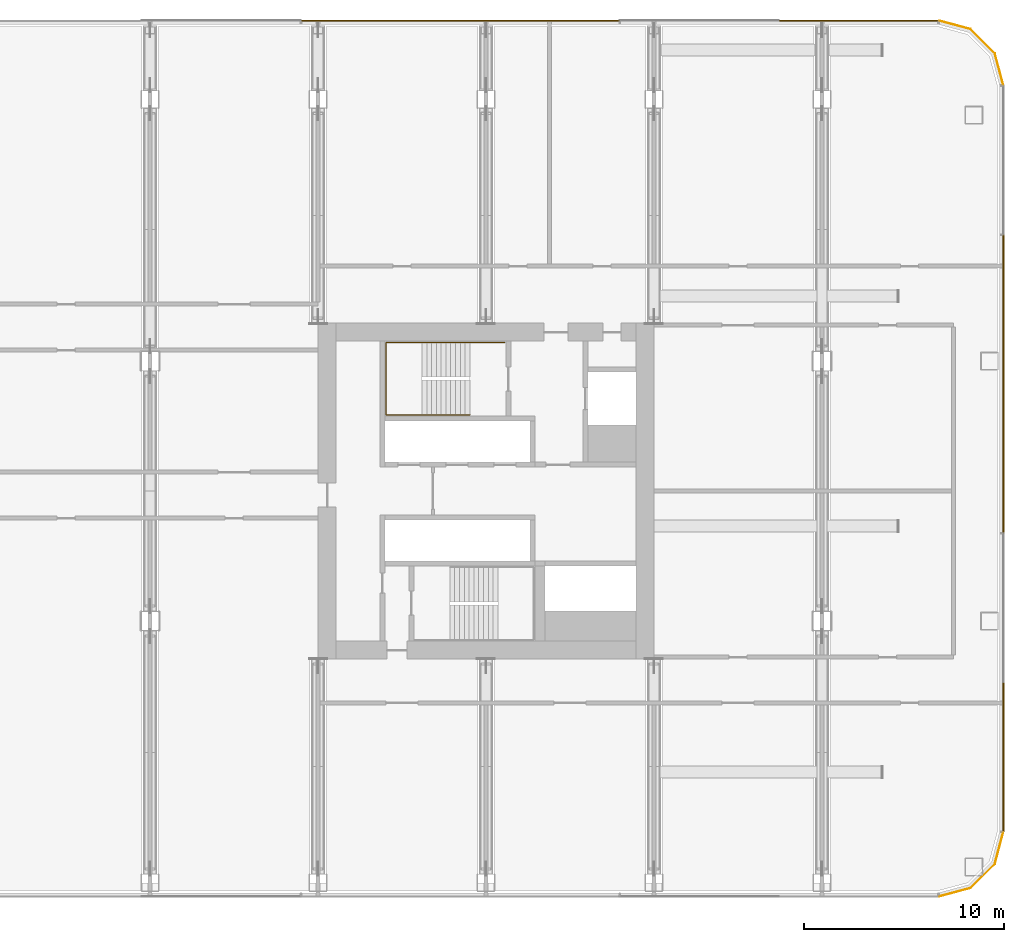
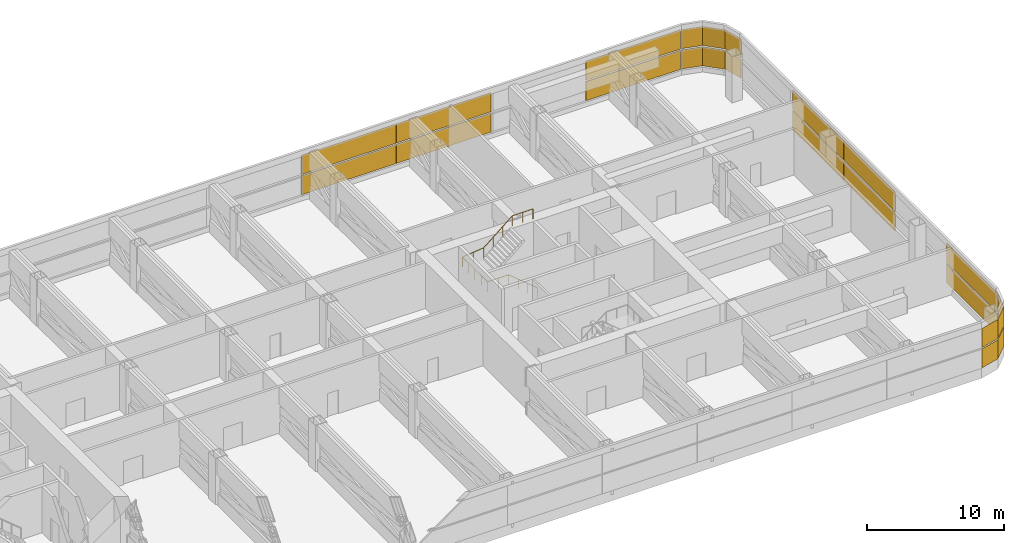
# One storey, part 30 of 30: 16 shading devices, 1 railing, 4 elements without a shape of their own.
"""IFC4 building model written with IfcOpenShell, lengths in metres."""

import ifcopenshell
import ifcopenshell.guid

model = None  # the IFC model being written
_history = None  # IfcOwnerHistory: only IFC2X3 demands one
_inside = {}  # id of a spatial element -> (the spatial element, [elements in it])
_under = {}  # id of a project, library or spatial element -> (it, [spatial elements below it])
_declared = {}  # id of a project -> (the project, [libraries it declares])
_typed = {}  # id of a type object -> (the type object, [elements of that type])
_made_of = {}  # id of a material, layer set ... -> (it, [elements and type objects made of it])


def new_model(schema):
    """Start an empty IFC model of exactly this schema.

    Asked for "IFC4X3", IfcOpenShell would pick the latest addendum, in which some entities
    have other attributes; the version numbers below select the first issue.
    IFC2X3 requires an IfcOwnerHistory on every rooted entity: one is made here for all.
    """
    global model, _history
    if schema == "IFC4X3":
        model = ifcopenshell.file(schema_version=(4, 3, 0, 0))
    else:
        model = ifcopenshell.file(schema=schema)
    _inside.clear()
    _under.clear()
    _declared.clear()
    _typed.clear()
    _made_of.clear()
    _history = None
    if model.schema == "IFC2X3":
        org = make("IfcOrganization", Name="unknown")
        user = make(
            "IfcPersonAndOrganization",
            ThePerson=make("IfcPerson", FamilyName="unknown"),
            TheOrganization=org,
        )
        app = make(
            "IfcApplication",
            ApplicationDeveloper=org,
            Version="unknown",
            ApplicationFullName="unknown",
            ApplicationIdentifier="unknown",
        )
        _history = make(
            "IfcOwnerHistory",
            OwningUser=user,
            OwningApplication=app,
            ChangeAction="ADDED",
            CreationDate=0,
        )
    return model


def make(cls, **values):
    """One entity of the class cls with the attributes given. An attribute that is None is left unset."""
    return model.create_entity(
        cls, **{name: value for name, value in values.items() if value is not None}
    )


def rooted(cls, **values):
    """An entity with a GlobalId (a new one), such as an element, a storey or a relation."""
    return make(cls, GlobalId=ifcopenshell.guid.new(), OwnerHistory=_history, **values)


def si_unit(unit_type, name, prefix=None):
    """IfcSIUnit, for example si_unit("LENGTHUNIT", "METRE", prefix="MILLI")."""
    return make("IfcSIUnit", UnitType=unit_type, Prefix=prefix, Name=name)


def assignment(units):
    """IfcUnitAssignment: the units of a project."""
    return None if units is None else make("IfcUnitAssignment", Units=units)


def point(xyz):
    """IfcCartesianPoint."""
    return None if xyz is None else make("IfcCartesianPoint", Coordinates=xyz)


def direction(xyz):
    """IfcDirection."""
    return None if xyz is None else make("IfcDirection", DirectionRatios=xyz)


def frame(location, z_axis=None, x_axis=None):
    """IfcAxis2Placement3D, a coordinate frame: its origin and axes. An axis left out is left unset."""
    return make(
        "IfcAxis2Placement3D",
        Location=point(location),
        Axis=direction(z_axis),
        RefDirection=direction(x_axis),
    )


def frame_2d(location, x_axis=None):
    """IfcAxis2Placement2D, a coordinate frame in the plane: its origin and x axis."""
    return make(
        "IfcAxis2Placement2D", Location=point(location), RefDirection=direction(x_axis)
    )


def origin():
    """The frame at (0, 0, 0) with its axes left unset."""
    return frame((0.0, 0.0, 0.0))


def origin_2d():
    """The frame at (0, 0) in the plane with its x axis left unset."""
    return frame_2d((0.0, 0.0))


def place(relative_to, where):
    """IfcLocalPlacement: puts the frame where relative to a parent placement (None: the world)."""
    return make(
        "IfcLocalPlacement", PlacementRelTo=relative_to, RelativePlacement=where
    )


def context(
    kind, dimensions, precision=None, world=None, true_north=None, identifier=None
):
    """IfcGeometricRepresentationContext, for example the 3D "Model" context."""
    return make(
        "IfcGeometricRepresentationContext",
        ContextIdentifier=identifier,
        ContextType=kind,
        CoordinateSpaceDimension=dimensions,
        Precision=precision,
        WorldCoordinateSystem=world,
        TrueNorth=true_north,
    )


def subcontext(parent, identifier, kind, view, scale=None):
    """IfcGeometricRepresentationSubContext, for example "Body" below "Model"."""
    return make(
        "IfcGeometricRepresentationSubContext",
        ContextIdentifier=identifier,
        ContextType=kind,
        ParentContext=parent,
        TargetScale=scale,
        TargetView=view,
    )


def project(units=None, contexts=None):
    """IfcProject with its units and contexts."""
    return rooted(
        "IfcProject",
        Name="project",
        RepresentationContexts=contexts,
        UnitsInContext=assignment(units),
    )


def spatial(cls, under=None, at=None, **own):
    """A site, building, storey or space (cls), placed at a placement, below another one or the project."""
    s = rooted(cls, ObjectPlacement=at, **own)
    if under is not None:
        _under.setdefault(under.id(), (under, []))[1].append(s)
    return s


def polyline(points):
    """IfcPolyline through the points."""
    return make("IfcPolyline", Points=[point(p) for p in points])


def profile(cls, at=None, kind="AREA", **sizes):
    """A parametric profile (cls). Its sizes go by their IFC names, for example OverallWidth=200.0."""
    return make(cls, ProfileType=kind, Position=at, **sizes)


def rectangle(**sizes):
    """IfcRectangleProfileDef."""
    return profile("IfcRectangleProfileDef", **sizes)


def circle(**sizes):
    """IfcCircleProfileDef."""
    return profile("IfcCircleProfileDef", **sizes)


def outline(outer, holes=None, kind="AREA"):
    """IfcArbitraryClosedProfileDef: a profile drawn as a closed curve; with holes, ...WithVoids."""
    if holes is None:
        return make("IfcArbitraryClosedProfileDef", ProfileType=kind, OuterCurve=outer)
    return make(
        "IfcArbitraryProfileDefWithVoids",
        ProfileType=kind,
        OuterCurve=outer,
        InnerCurves=holes,
    )


def extrude(swept, where, along, depth):
    """IfcExtrudedAreaSolid: the profile swept, set in the frame where, extruded along a direction by depth."""
    return make(
        "IfcExtrudedAreaSolid",
        SweptArea=swept,
        Position=where,
        ExtrudedDirection=direction(along),
        Depth=depth,
    )


def shape(context_of_items, identifier, shape_type, items):
    """IfcShapeRepresentation: the items that make up one representation, for example the "Body"."""
    return make(
        "IfcShapeRepresentation",
        ContextOfItems=context_of_items,
        RepresentationIdentifier=identifier,
        RepresentationType=shape_type,
        Items=items,
    )


def material(Name=None, Category=None):
    """IfcMaterial."""
    return make("IfcMaterial", Name=Name, Category=Category)


def layer(
    of_material, thickness, ventilated=None, Name=None, Category=None, Priority=None
):
    """IfcMaterialLayer: one layer of a wall or slab, of a material (None: an air gap)."""
    return make(
        "IfcMaterialLayer",
        Material=of_material,
        LayerThickness=thickness,
        IsVentilated=ventilated,
        Name=Name,
        Category=Category,
        Priority=Priority,
    )


def layer_set(layers, Name=None):
    """IfcMaterialLayerSet."""
    return make("IfcMaterialLayerSet", MaterialLayers=layers, LayerSetName=Name)


def made_of(thing, what):
    """Note that an element or type object is made of a material, layer set ...; save() writes the relation."""
    if what is not None:
        _made_of.setdefault(what.id(), (what, []))[1].append(thing)
    return thing


def type_object(cls, material=None, **own):
    """A type object (cls), such as IfcWallType, which elements share."""
    return made_of(rooted(cls, **own), material)


def element(
    cls,
    number,
    at=None,
    inside=None,
    cuts=None,
    type_object=None,
    material=None,
    context=None,
    identifier="Body",
    shape_type=None,
    held_by="IfcProductDefinitionShape",
    body=None,
    shapes=None,
    **own,
):
    """One element of the class cls, such as IfcWall. Its Tag is "e" and its number.

    at: its placement. inside: the storey or other place that contains it. cuts: it is an
    opening in that element (IfcRelVoidsElement). A single representation is given by context,
    identifier, shape_type and body (its items); several are given by shapes. held_by: the class
    of the entity that holds the representations. save() writes the other relations.
    """
    e = rooted(cls, Tag="e%d" % number, ObjectPlacement=at, **own)
    if body is not None:
        shapes = [shape(context, identifier, shape_type, body)]
    if shapes is not None:
        e.Representation = make(held_by, Representations=shapes)
    if inside is not None:
        _inside.setdefault(inside.id(), (inside, []))[1].append(e)
    if cuts is not None:
        rooted(
            "IfcRelVoidsElement", RelatingBuildingElement=cuts, RelatedOpeningElement=e
        )
    if type_object is not None:
        _typed.setdefault(type_object.id(), (type_object, []))[1].append(e)
    return made_of(e, material)


def aggregate(whole, parts):
    """IfcRelAggregates: a whole, such as a stair, and the parts it consists of."""
    return rooted("IfcRelAggregates", RelatingObject=whole, RelatedObjects=parts)


def save(model, path):
    """Write the relations noted so far, then the file.

    IfcRelAggregates (storeys below a building ...), IfcRelContainedInSpatialStructure (elements
    in a storey), IfcRelDefinesByType, IfcRelAssociatesMaterial and IfcRelDeclares: one each for
    every whole, place, type object, material and project.
    """
    for whole, parts in _under.values():
        aggregate(whole, parts)
    for where, things in _inside.values():
        rooted(
            "IfcRelContainedInSpatialStructure",
            RelatedElements=things,
            RelatingStructure=where,
        )
    for kind, things in _typed.values():
        rooted("IfcRelDefinesByType", RelatedObjects=things, RelatingType=kind)
    for what, things in _made_of.values():
        rooted("IfcRelAssociatesMaterial", RelatedObjects=things, RelatingMaterial=what)
    for by, libraries in _declared.values():
        rooted("IfcRelDeclares", RelatingContext=by, RelatedDefinitions=libraries)
    model.write(path)


model = new_model("IFC4")

# Units and contexts
model_context = context("Model", 3, precision=1e-05, world=origin(), true_north=direction((0.0, 1.0)))
body_context = subcontext(model_context, "Body", "Model", "MODEL_VIEW")
ifc_project = project(units=[si_unit("LENGTHUNIT", "METRE"), si_unit("AREAUNIT", "SQUARE_METRE"), si_unit("VOLUMEUNIT", "CUBIC_METRE"), si_unit("PLANEANGLEUNIT", "RADIAN"), si_unit("MASSUNIT", "GRAM", prefix="KILO")], contexts=[model_context])

# Site, building, storey
site_placement = place(None, origin())
site = spatial("IfcSite", under=ifc_project, at=site_placement, CompositionType="ELEMENT")
building_placement = place(site_placement, origin())
building = spatial("IfcBuilding", under=site, at=building_placement, Name="Hakoniwa Tower and Hamabe Station Hall", CompositionType="ELEMENT")
storey_placement = place(building_placement, frame((0.0, 0.0, 64.60009765625)))
storey = spatial("IfcBuildingStorey", under=building, at=storey_placement, Name="L18", CompositionType="ELEMENT", Elevation=64.60009765625)

# Curtain wall, shading devices
ifc_material_1 = material(Name="Dark low-e laminated glass", Category="glass")
ifc_layer_1 = layer(ifc_material_1, 0.199951171875)
ifc_layer_set_1 = layer_set([ifc_layer_1], Name="CW-6 PLANT LOUVRE")
curtain_wall_type = type_object("IfcCurtainWallType", Name="CW-6 PLANT LOUVRE", PredefinedType="NOTDEFINED", material=ifc_layer_set_1)
curtain_wall_1_placement = place(storey_placement, origin())
curtain_wall_1 = element("IfcCurtainWall", 1, at=curtain_wall_1_placement, inside=storey, type_object=curtain_wall_type, Name="CW-6 curtain wall", PredefinedType="NOTDEFINED")
ifc_material_2 = material(Name="Aluminium 6063-T5 black anodised louvre", Category="aluminium")
ifc_layer_2 = layer(ifc_material_2, 0.06005859375)
ifc_layer_set_2 = layer_set([ifc_layer_2], Name="CW-6 LOUVRE UNIT")
shading_device_type = type_object("IfcShadingDeviceType", Name="CW-6 LOUVRE UNIT", PredefinedType="JALOUSIE", material=ifc_layer_set_2)
shading_device_1_placement = place(storey_placement, frame((51.0859375, -13.306640625, 0.349853515625), z_axis=(0.0, 0.0, 1.0), x_axis=(0.0, 1.0, 0.0)))
shading_device_1 = element("IfcShadingDevice", 2, at=shading_device_1_placement, type_object=shading_device_type, Name="CW-6 louvre unit", PredefinedType="JALOUSIE", context=body_context, shape_type="SweptSolid", body=[
    extrude(rectangle(XDim=7.44580078125, YDim=0.06005859375, at=origin_2d()), origin(), (0.0, 0.0, 1.0), 1.68994140625),
])
shading_device_2_placement = place(storey_placement, frame((51.0859375, -13.306640625, 2.159912109375), z_axis=(0.0, 0.0, 1.0), x_axis=(0.0, 1.0, 0.0)))
shading_device_2 = element("IfcShadingDevice", 3, at=shading_device_2_placement, type_object=shading_device_type, Name="CW-6 louvre unit", PredefinedType="JALOUSIE", context=body_context, shape_type="SweptSolid", body=[
    extrude(rectangle(XDim=7.44580078125, YDim=0.06005859375, at=origin_2d()), origin(), (0.0, 0.0, 1.0), 1.68994140625),
])
shading_device_3_placement = place(storey_placement, frame((51.0859375, 1.625, 0.349853515625), z_axis=(0.0, 0.0, 1.0), x_axis=(0.0, 1.0, 0.0)))
shading_device_3 = element("IfcShadingDevice", 4, at=shading_device_3_placement, type_object=shading_device_type, Name="CW-6 louvre unit", PredefinedType="JALOUSIE", context=body_context, shape_type="SweptSolid", body=[
    extrude(rectangle(XDim=7.44580078125, YDim=0.06005859375, at=origin_2d()), origin(), (0.0, 0.0, 1.0), 1.68994140625),
])
shading_device_4_placement = place(storey_placement, frame((51.0859375, 1.625, 2.159912109375), z_axis=(0.0, 0.0, 1.0), x_axis=(0.0, 1.0, 0.0)))
shading_device_4 = element("IfcShadingDevice", 5, at=shading_device_4_placement, type_object=shading_device_type, Name="CW-6 louvre unit", PredefinedType="JALOUSIE", context=body_context, shape_type="SweptSolid", body=[
    extrude(rectangle(XDim=7.44580078125, YDim=0.06005859375, at=origin_2d()), origin(), (0.0, 0.0, 1.0), 1.68994140625),
])
shading_device_5_placement = place(storey_placement, frame((51.0859375, 9.0908203125, 0.349853515625), z_axis=(0.0, 0.0, 1.0), x_axis=(0.0, 1.0, 0.0)))
shading_device_5 = element("IfcShadingDevice", 6, at=shading_device_5_placement, type_object=shading_device_type, Name="CW-6 louvre unit", PredefinedType="JALOUSIE", context=body_context, shape_type="SweptSolid", body=[
    extrude(rectangle(XDim=7.44580078125, YDim=0.06005859375, at=origin_2d()), origin(), (0.0, 0.0, 1.0), 1.68994140625),
])
shading_device_6_placement = place(storey_placement, frame((51.0859375, 9.0908203125, 2.159912109375), z_axis=(0.0, 0.0, 1.0), x_axis=(0.0, 1.0, 0.0)))
shading_device_6 = element("IfcShadingDevice", 7, at=shading_device_6_placement, type_object=shading_device_type, Name="CW-6 louvre unit", PredefinedType="JALOUSIE", context=body_context, shape_type="SweptSolid", body=[
    extrude(rectangle(XDim=7.44580078125, YDim=0.06005859375, at=origin_2d()), origin(), (0.0, 0.0, 1.0), 1.68994140625),
])
aggregate(curtain_wall_1, [shading_device_1, shading_device_2, shading_device_3, shading_device_4, shading_device_5, shading_device_6])

curtain_wall_2_placement = place(storey_placement, origin())
curtain_wall_2 = element("IfcCurtainWall", 8, at=curtain_wall_2_placement, inside=storey, type_object=curtain_wall_type, Name="CW-6 curtain wall", PredefinedType="NOTDEFINED")
shading_device_7_placement = place(storey_placement, frame((0.0, 0.0, 0.349853515625)))
shading_device_7 = element("IfcShadingDevice", 9, at=shading_device_7_placement, type_object=shading_device_type, Name="CW-6 curved corner unit", PredefinedType="JALOUSIE", context=body_context, shape_type="SweptSolid", body=[
    extrude(outline(polyline([(51.089599609375, 20.328125), (50.6669921875, 21.9052734375), (49.455322265625, 23.116943359375), (47.878173828125, 23.53955078125), (47.870849609375, 23.5126953125), (49.44091796875, 23.092041015625), (50.641845703125, 21.890869140625), (51.0625, 20.32080078125), (51.089599609375, 20.328125)])), origin(), (0.0, 0.0, 1.0), 1.68994140625),
])
shading_device_8_placement = place(storey_placement, frame((0.0, 0.0, 2.159912109375)))
shading_device_8 = element("IfcShadingDevice", 10, at=shading_device_8_placement, type_object=shading_device_type, Name="CW-6 curved corner unit", PredefinedType="JALOUSIE", context=body_context, shape_type="SweptSolid", body=[
    extrude(outline(polyline([(51.089599609375, 20.328125), (50.6669921875, 21.9052734375), (49.455322265625, 23.116943359375), (47.878173828125, 23.53955078125), (47.870849609375, 23.5126953125), (49.44091796875, 23.092041015625), (50.641845703125, 21.890869140625), (51.0625, 20.32080078125), (51.089599609375, 20.328125)])), origin(), (0.0, 0.0, 1.0), 1.68994140625),
])
aggregate(curtain_wall_2, [shading_device_7, shading_device_8])

curtain_wall_3_placement = place(storey_placement, origin())
curtain_wall_3 = element("IfcCurtainWall", 11, at=curtain_wall_3_placement, inside=storey, type_object=curtain_wall_type, Name="CW-6 curtain wall", PredefinedType="NOTDEFINED")
shading_device_9_placement = place(storey_placement, frame((43.852783203125, 23.535888671875, 0.349853515625), z_axis=(0.0, 0.0, 1.0), x_axis=(-1.0, 0.0, 0.0)))
shading_device_9 = element("IfcShadingDevice", 12, at=shading_device_9_placement, type_object=shading_device_type, Name="CW-6 louvre unit", PredefinedType="JALOUSIE", context=body_context, shape_type="SweptSolid", body=[
    extrude(rectangle(XDim=7.953369140625, YDim=0.06005859375, at=origin_2d()), origin(), (0.0, 0.0, 1.0), 1.68994140625),
])
shading_device_10_placement = place(storey_placement, frame((43.852783203125, 23.535888671875, 2.159912109375), z_axis=(0.0, 0.0, 1.0), x_axis=(-1.0, 0.0, 0.0)))
shading_device_10 = element("IfcShadingDevice", 13, at=shading_device_10_placement, type_object=shading_device_type, Name="CW-6 louvre unit", PredefinedType="JALOUSIE", context=body_context, shape_type="SweptSolid", body=[
    extrude(rectangle(XDim=7.953369140625, YDim=0.06005859375, at=origin_2d()), origin(), (0.0, 0.0, 1.0), 1.68994140625),
])
shading_device_11_placement = place(storey_placement, frame((27.906494140625, 23.535888671875, 0.349853515625), z_axis=(0.0, 0.0, 1.0), x_axis=(-1.0, 0.0, 0.0)))
shading_device_11 = element("IfcShadingDevice", 14, at=shading_device_11_placement, type_object=shading_device_type, Name="CW-6 louvre unit", PredefinedType="JALOUSIE", context=body_context, shape_type="SweptSolid", body=[
    extrude(rectangle(XDim=7.953369140625, YDim=0.06005859375, at=origin_2d()), origin(), (0.0, 0.0, 1.0), 1.68994140625),
])
shading_device_12_placement = place(storey_placement, frame((27.906494140625, 23.535888671875, 2.159912109375), z_axis=(0.0, 0.0, 1.0), x_axis=(-1.0, 0.0, 0.0)))
shading_device_12 = element("IfcShadingDevice", 15, at=shading_device_12_placement, type_object=shading_device_type, Name="CW-6 louvre unit", PredefinedType="JALOUSIE", context=body_context, shape_type="SweptSolid", body=[
    extrude(rectangle(XDim=7.953369140625, YDim=0.06005859375, at=origin_2d()), origin(), (0.0, 0.0, 1.0), 1.68994140625),
])
shading_device_13_placement = place(storey_placement, frame((19.93310546875, 23.535888671875, 0.349853515625), z_axis=(0.0, 0.0, 1.0), x_axis=(-1.0, 0.0, 0.0)))
shading_device_13 = element("IfcShadingDevice", 16, at=shading_device_13_placement, type_object=shading_device_type, Name="CW-6 louvre unit", PredefinedType="JALOUSIE", context=body_context, shape_type="SweptSolid", body=[
    extrude(rectangle(XDim=7.953369140625, YDim=0.06005859375, at=origin_2d()), origin(), (0.0, 0.0, 1.0), 1.68994140625),
])
shading_device_14_placement = place(storey_placement, frame((19.93310546875, 23.535888671875, 2.159912109375), z_axis=(0.0, 0.0, 1.0), x_axis=(-1.0, 0.0, 0.0)))
shading_device_14 = element("IfcShadingDevice", 17, at=shading_device_14_placement, type_object=shading_device_type, Name="CW-6 louvre unit", PredefinedType="JALOUSIE", context=body_context, shape_type="SweptSolid", body=[
    extrude(rectangle(XDim=7.953369140625, YDim=0.06005859375, at=origin_2d()), origin(), (0.0, 0.0, 1.0), 1.68994140625),
])
aggregate(curtain_wall_3, [shading_device_9, shading_device_10, shading_device_11, shading_device_12, shading_device_13, shading_device_14])

curtain_wall_4_placement = place(storey_placement, origin())
curtain_wall_4 = element("IfcCurtainWall", 18, at=curtain_wall_4_placement, inside=storey, type_object=curtain_wall_type, Name="CW-6 curtain wall", PredefinedType="NOTDEFINED")
shading_device_15_placement = place(storey_placement, frame((0.0, 0.0, 0.349853515625)))
shading_device_15 = element("IfcShadingDevice", 19, at=shading_device_15_placement, type_object=shading_device_type, Name="CW-6 curved corner unit", PredefinedType="JALOUSIE", context=body_context, shape_type="SweptSolid", body=[
    extrude(outline(polyline([(47.878173828125, -20.28955078125), (49.455322265625, -19.866943359375), (50.6669921875, -18.6552734375), (51.089599609375, -17.078125), (51.0625, -17.07080078125), (50.641845703125, -18.640869140625), (49.44091796875, -19.842041015625), (47.870849609375, -20.2626953125), (47.878173828125, -20.28955078125)])), origin(), (0.0, 0.0, 1.0), 1.68994140625),
])
shading_device_16_placement = place(storey_placement, frame((0.0, 0.0, 2.159912109375)))
shading_device_16 = element("IfcShadingDevice", 20, at=shading_device_16_placement, type_object=shading_device_type, Name="CW-6 curved corner unit", PredefinedType="JALOUSIE", context=body_context, shape_type="SweptSolid", body=[
    extrude(outline(polyline([(47.878173828125, -20.28955078125), (49.455322265625, -19.866943359375), (50.6669921875, -18.6552734375), (51.089599609375, -17.078125), (51.0625, -17.07080078125), (50.641845703125, -18.640869140625), (49.44091796875, -19.842041015625), (47.870849609375, -20.2626953125), (47.878173828125, -20.28955078125)])), origin(), (0.0, 0.0, 1.0), 1.68994140625),
])
aggregate(curtain_wall_4, [shading_device_15, shading_device_16])

# Railing
ifc_material_3 = material(Name="Stainless steel SUS304", Category="steel")
railing_type = type_object("IfcRailingType", Name="STAIR HANDRAIL 900", PredefinedType="HANDRAIL", material=ifc_material_3)
railing_placement = place(storey_placement, frame((24.39990234375, 3.81005859375, 0.199951171875)))
element("IfcRailing", 21, at=railing_placement, inside=storey, type_object=railing_type, Name="Handrail ST-3 L18 1", PredefinedType="HANDRAIL", context=body_context, shape_type="SweptSolid", body=[
    extrude(circle(Radius=0.02392578125, at=origin_2d()), frame((0.0, 0.0, 0.8759765625), z_axis=(-0.768208468069, 0.0, 0.640199773186), x_axis=(0.0, -1.0, 0.0)), (0.0, 0.0, 1.0), 3.1240234375),
    extrude(circle(Radius=0.02392578125, at=origin_2d()), frame((-2.39990234375, 0.0, 2.8759765625), z_axis=(-1.0, 0.0, 0.0), x_axis=(0.0, -1.0, 0.0)), (0.0, 0.0, 1.0), 1.7900390625),
    extrude(circle(Radius=0.02392578125, at=origin_2d()), frame((-4.18994140625, 0.0, 2.8759765625), z_axis=(0.0, 1.0, 0.0), x_axis=(-1.0, 0.0, 0.0)), (0.0, 0.0, 1.0), 3.6298828125),
    extrude(circle(Radius=0.02392578125, at=origin_2d()), frame((-4.18994140625, 3.6298828125, 2.8759765625), z_axis=(0.993819098592, 0.0, 0.111011707821), x_axis=(0.0, 1.0, 0.0)), (0.0, 0.0, 1.0), 1.80126953125),
    extrude(circle(Radius=0.02392578125, at=origin_2d()), frame((-2.39990234375, 3.6298828125, 3.07568359375), z_axis=(0.768208468069, 0.0, 0.640199773186), x_axis=(0.0, 1.0, 0.0)), (0.0, 0.0, 1.0), 3.1240234375),
    extrude(circle(Radius=0.02392578125, at=origin_2d()), frame((0.0, 3.6298828125, 5.07568359375), z_axis=(1.0, 0.0, 0.0), x_axis=(0.0, 1.0, 0.0)), (0.0, 0.0, 1.0), 1.739990234375),
    extrude(circle(Radius=0.02099609375, at=origin_2d()), origin(), (0.0, 0.0, 1.0), 0.851806640625),
    extrude(circle(Radius=0.02099609375, at=origin_2d()), frame((-0.800048828125, 0.0, 0.666748046875)), (0.0, 0.0, 1.0), 0.851806640625),
    extrude(circle(Radius=0.02099609375, at=origin_2d()), frame((-1.599853515625, 0.0, 1.333251953125)), (0.0, 0.0, 1.0), 0.851806640625),
    extrude(circle(Radius=0.02099609375, at=origin_2d()), frame((-2.39990234375, 0.0, 2.0)), (0.0, 0.0, 1.0), 0.851806640625),
    extrude(circle(Radius=0.02099609375, at=origin_2d()), frame((-3.294921875, 0.0, 2.0)), (0.0, 0.0, 1.0), 0.851806640625),
    extrude(circle(Radius=0.02099609375, at=origin_2d()), frame((-4.18994140625, 0.0, 2.0)), (0.0, 0.0, 1.0), 0.851806640625),
    extrude(circle(Radius=0.02099609375, at=origin_2d()), frame((-4.18994140625, 0.907470703125, 2.0)), (0.0, 0.0, 1.0), 0.851806640625),
    extrude(circle(Radius=0.02099609375, at=origin_2d()), frame((-4.18994140625, 1.81494140625, 2.0)), (0.0, 0.0, 1.0), 0.851806640625),
    extrude(circle(Radius=0.02099609375, at=origin_2d()), frame((-4.18994140625, 2.722412109375, 2.0)), (0.0, 0.0, 1.0), 0.851806640625),
    extrude(circle(Radius=0.02099609375, at=origin_2d()), frame((-4.18994140625, 3.6298828125, 2.0)), (0.0, 0.0, 1.0), 0.851806640625),
    extrude(circle(Radius=0.02099609375, at=origin_2d()), frame((-3.294921875, 3.6298828125, 2.10009765625)), (0.0, 0.0, 1.0), 0.851806640625),
    extrude(circle(Radius=0.02099609375, at=origin_2d()), frame((-2.39990234375, 3.6298828125, 2.199951171875)), (0.0, 0.0, 1.0), 0.851806640625),
    extrude(circle(Radius=0.02099609375, at=origin_2d()), frame((-1.599853515625, 3.6298828125, 2.86669921875)), (0.0, 0.0, 1.0), 0.851806640625),
    extrude(circle(Radius=0.02099609375, at=origin_2d()), frame((-0.800048828125, 3.6298828125, 3.533203125)), (0.0, 0.0, 1.0), 0.851806640625),
    extrude(circle(Radius=0.02099609375, at=origin_2d()), frame((0.0, 3.6298828125, 4.199951171875)), (0.0, 0.0, 1.0), 0.851806640625),
    extrude(circle(Radius=0.02099609375, at=origin_2d()), frame((0.8701171875, 3.6298828125, 4.199951171875)), (0.0, 0.0, 1.0), 0.851806640625),
    extrude(circle(Radius=0.02099609375, at=origin_2d()), frame((1.739990234375, 3.6298828125, 4.199951171875)), (0.0, 0.0, 1.0), 0.851806640625),
])

save(model, "model.ifc")
